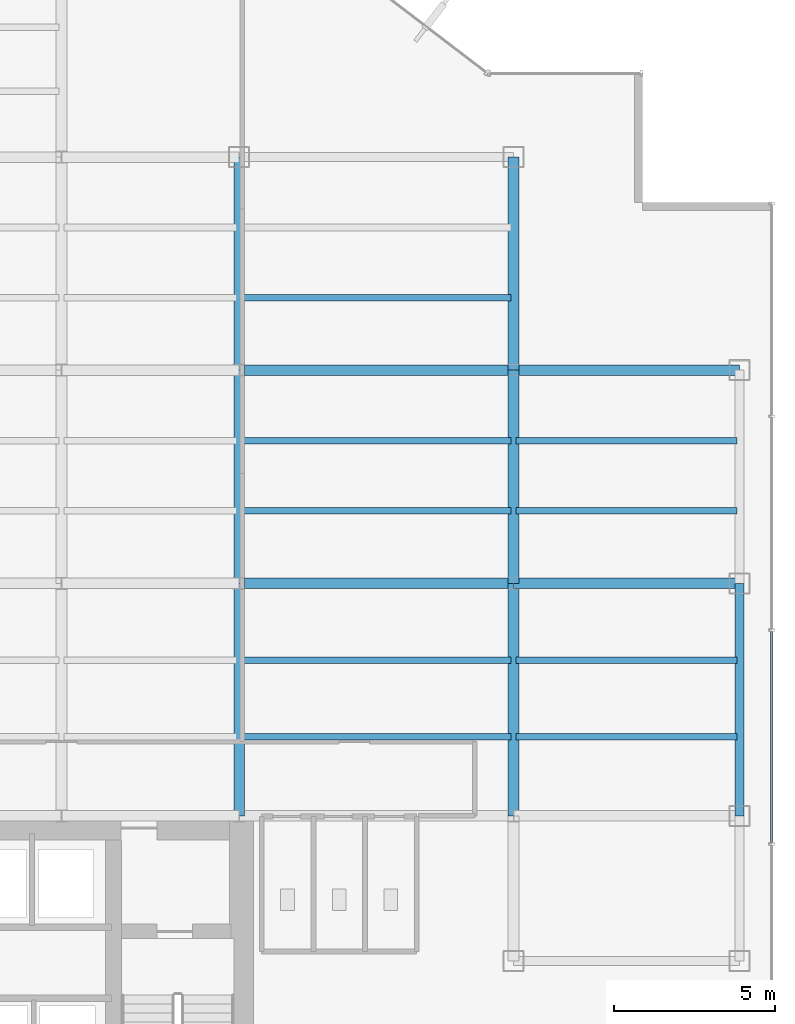
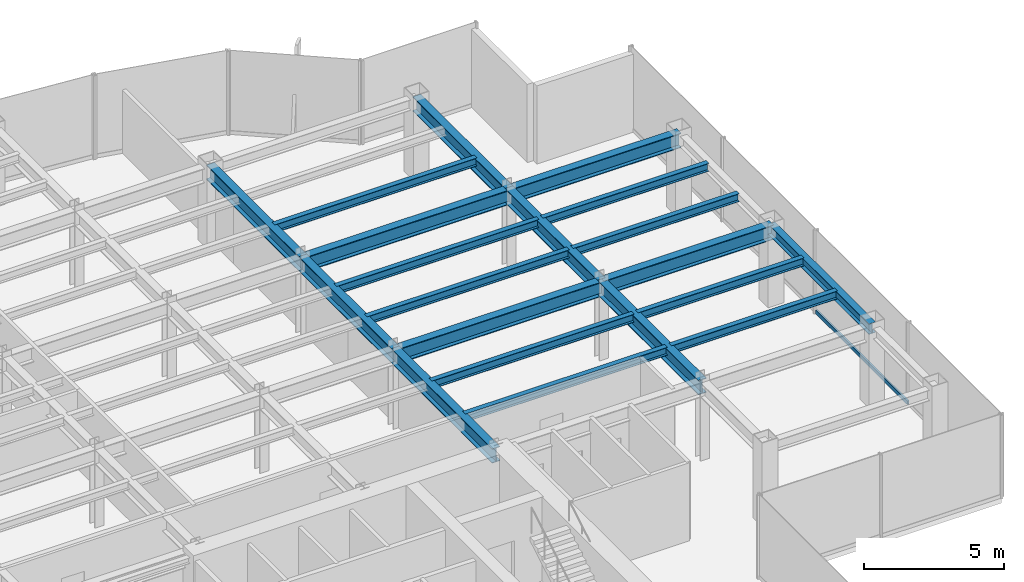
# One storey, part 12 of 25: 20 beams, 1 member, 1 element without a shape of its own.
"""IFC4 building model written with IfcOpenShell, lengths in metres."""

from ifc_helpers import new_model, si_unit, derived_unit, direction, frame, origin, origin_2d, place, context, subcontext, project, spatial, hollow_rectangle, i_section, extrude, source, transform, mapped, material, material_profile, profile_set, type_object, element, aggregate, save


model = new_model("IFC4")

# Units and contexts
model_context = context("Model", 3, precision=1e-05, world=origin(), true_north=direction((0.0, 1.0)))
body_context = subcontext(model_context, "Body", "Model", "MODEL_VIEW")
ifc_project = project(units=[si_unit("LENGTHUNIT", "METRE"), si_unit("AREAUNIT", "SQUARE_METRE"), si_unit("VOLUMEUNIT", "CUBIC_METRE"), si_unit("PLANEANGLEUNIT", "RADIAN"), si_unit("MASSUNIT", "GRAM", prefix="KILO"), derived_unit("THERMALTRANSMITTANCEUNIT", [(si_unit("POWERUNIT", "WATT"), 1), (si_unit("LENGTHUNIT", "METRE"), -2), (si_unit("THERMODYNAMICTEMPERATUREUNIT", "KELVIN"), -1)])], contexts=[model_context])

# Site, building, storey
site_placement = place(None, origin())
site = spatial("IfcSite", under=ifc_project, at=site_placement, CompositionType="ELEMENT")
building_placement = place(site_placement, origin())
building = spatial("IfcBuilding", under=site, at=building_placement, Name="Skarnbrae Concourse Arena and Tower", CompositionType="ELEMENT")
storey_placement = place(building_placement, frame((0.0, 0.0, 155.199951171875)))
storey = spatial("IfcBuildingStorey", under=building, at=storey_placement, Name="L39", CompositionType="ELEMENT", Elevation=155.199951171875)

# Beams
ifc_material_1 = material(Name="Steel CSA G40.21 350W", Category="steel")
ifc_material_profile_1 = material_profile(ifc_material_1, i_section(OverallWidth=0.3291015625, OverallDepth=0.635009765625, WebThickness=0.017822265625, FlangeThickness=0.031005859375, at=origin_2d()), Name="W610X241")
ifc_profile_set_1 = profile_set([ifc_material_profile_1], Name="Steel CSA G40.21 350W")
beam_type_1 = type_object("IfcBeamType", Name="BM-GIRD-W610X241", PredefinedType="BEAM", material=ifc_profile_set_1)
shared_shape_1 = source(origin(), body_context, "Body", "SweptSolid", [
    extrude(i_section(OverallWidth=0.3291015625, OverallDepth=0.635009765625, WebThickness=0.017822265625, FlangeThickness=0.031005859375, at=origin_2d()), origin(), (0.0, 0.0, 1.0), 6.60009765625),
])
for number, where, z_axis, x_axis, name in (
    (1, (33.5, 21.199951171875, 3.08251953125), (0.0, 1.0, 0.0), (-1.0, 0.0, 0.0), "L39 Primary N-S girder X33.5-2"),
    (2, (42.0, 21.199951171875, 3.08251953125), (0.0, 1.0, 0.0), (-1.0, 0.0, 0.0), "L39 Primary N-S girder X42.0-3"),
):
    element("IfcBeam", number, at=place(storey_placement, frame(where, z_axis=z_axis, x_axis=x_axis)), inside=storey, type_object=beam_type_1, Name=name, PredefinedType="BEAM", context=body_context, shape_type="MappedRepresentation", body=[
        mapped(shared_shape_1, transform((0.0, 0.0, 0.0))),
    ])
shared_shape_2 = source(origin(), body_context, "Body", "SweptSolid", [
    extrude(i_section(OverallWidth=0.3291015625, OverallDepth=0.635009765625, WebThickness=0.017822265625, FlangeThickness=0.031005859375, at=origin_2d()), origin(), (0.0, 0.0, 1.0), 8.5),
])
for number, where, z_axis, x_axis, name in (
    (3, (33.5, 21.199951171875, 3.08251953125), (1.0, 0.0, 0.0), (0.0, 1.0, 0.0), "L39 Primary E-W girder Y21.2-6"),
    (4, (33.5, 27.800048828125, 3.08251953125), (1.0, 0.0, 0.0), (0.0, 1.0, 0.0), "L39 Primary E-W girder Y27.8-6"),
):
    element("IfcBeam", number, at=place(storey_placement, frame(where, z_axis=z_axis, x_axis=x_axis)), inside=storey, type_object=beam_type_1, Name=name, PredefinedType="BEAM", context=body_context, shape_type="MappedRepresentation", body=[
        mapped(shared_shape_2, transform((0.0, 0.0, 0.0))),
    ])
shared_shape_3 = source(origin(), body_context, "Body", "SweptSolid", [
    extrude(i_section(OverallWidth=0.3291015625, OverallDepth=0.635009765625, WebThickness=0.017822265625, FlangeThickness=0.031005859375, at=origin_2d()), origin(), (0.0, 0.0, 1.0), 7.0),
])
for number, where, z_axis, x_axis, name in (
    (5, (42.0, 21.199951171875, 3.08251953125), (1.0, 0.0, 0.0), (0.0, 1.0, 0.0), "L39 Primary E-W girder Y21.2-7"),
    (6, (42.0, 27.800048828125, 3.08251953125), (1.0, 0.0, 0.0), (0.0, 1.0, 0.0), "L39 Primary E-W girder Y27.8-7"),
):
    element("IfcBeam", number, at=place(storey_placement, frame(where, z_axis=z_axis, x_axis=x_axis)), inside=storey, type_object=beam_type_1, Name=name, PredefinedType="BEAM", context=body_context, shape_type="MappedRepresentation", body=[
        mapped(shared_shape_3, transform((0.0, 0.0, 0.0))),
    ])
ifc_material_profile_2 = material_profile(ifc_material_1, i_section(OverallWidth=0.280029296875, OverallDepth=0.462890625, WebThickness=0.0107421875, FlangeThickness=0.017333984375, at=origin_2d()), Name="W460X113")
ifc_profile_set_2 = profile_set([ifc_material_profile_2], Name="Steel CSA G40.21 350W")
beam_type_2 = type_object("IfcBeamType", Name="BM-SPAN-W460X113", PredefinedType="SPANDREL", material=ifc_profile_set_2)
shared_shape_4 = source(origin(), body_context, "Body", "SweptSolid", [
    extrude(i_section(OverallWidth=0.280029296875, OverallDepth=0.462890625, WebThickness=0.0107421875, FlangeThickness=0.017333984375, at=origin_2d()), origin(), (0.0, 0.0, 1.0), 7.199951171875),
])
beam_placement = place(storey_placement, frame((49.0, 14.0, 3.16845703125), z_axis=(0.0, 1.0, 0.0), x_axis=(-1.0, 0.0, 0.0)))
element("IfcBeam", 7, at=beam_placement, inside=storey, type_object=beam_type_2, Name="L39 Perimeter spandrel X49.0-2", PredefinedType="SPANDREL", context=body_context, shape_type="MappedRepresentation", body=[
    mapped(shared_shape_4, transform((0.0, 0.0, 0.0))),
])
shared_shape_5 = source(origin(), body_context, "Body", "SweptSolid", [
    extrude(i_section(OverallWidth=0.3291015625, OverallDepth=0.635009765625, WebThickness=0.017822265625, FlangeThickness=0.031005859375, at=origin_2d()), origin(), (0.0, 0.0, 1.0), 7.199951171875),
])
for number, where, z_axis, x_axis, name in (
    (8, (33.5, 14.0, 3.08251953125), (0.0, 1.0, 0.0), (-1.0, 0.0, 0.0), "L39 Primary N-S girder X33.5-1"),
    (9, (42.0, 14.0, 3.08251953125), (0.0, 1.0, 0.0), (-1.0, 0.0, 0.0), "L39 Primary N-S girder X42.0-2"),
):
    element("IfcBeam", number, at=place(storey_placement, frame(where, z_axis=z_axis, x_axis=x_axis)), inside=storey, type_object=beam_type_1, Name=name, PredefinedType="BEAM", context=body_context, shape_type="MappedRepresentation", body=[
        mapped(shared_shape_5, transform((0.0, 0.0, 0.0))),
    ])
shared_shape_6 = source(origin(), body_context, "Body", "SweptSolid", [
    extrude(i_section(OverallWidth=0.3291015625, OverallDepth=0.635009765625, WebThickness=0.017822265625, FlangeThickness=0.031005859375, at=origin_2d()), origin(), (0.0, 0.0, 1.0), 6.599853515625),
])
for number, where, z_axis, x_axis, name in (
    (10, (33.5, 27.800048828125, 3.08251953125), (0.0, 1.0, 0.0), (-1.0, 0.0, 0.0), "L39 Primary N-S girder X33.5-3"),
    (11, (42.0, 27.800048828125, 3.08251953125), (0.0, 1.0, 0.0), (-1.0, 0.0, 0.0), "L39 Primary N-S girder X42.0-4"),
):
    element("IfcBeam", number, at=place(storey_placement, frame(where, z_axis=z_axis, x_axis=x_axis)), inside=storey, type_object=beam_type_1, Name=name, PredefinedType="BEAM", context=body_context, shape_type="MappedRepresentation", body=[
        mapped(shared_shape_6, transform((0.0, 0.0, 0.0))),
    ])
ifc_material_profile_3 = material_profile(ifc_material_1, i_section(OverallWidth=0.205078125, OverallDepth=0.35400390625, WebThickness=0.009521484375, FlangeThickness=0.016845703125, at=origin_2d()), Name="W360X79")
ifc_profile_set_3 = profile_set([ifc_material_profile_3], Name="Steel CSA G40.21 350W")
beam_type_3 = type_object("IfcBeamType", Name="BM-JOIST-W360X79", PredefinedType="JOIST", material=ifc_profile_set_3)
shared_shape_7 = source(origin(), body_context, "Body", "SweptSolid", [
    extrude(i_section(OverallWidth=0.205078125, OverallDepth=0.35400390625, WebThickness=0.009521484375, FlangeThickness=0.016845703125, at=origin_2d()), origin(), (0.0, 0.0, 1.0), 8.33984375),
])
for number, where, z_axis, x_axis, name in (
    (12, (33.580078125, 16.447998046875, 3.22314453125), (1.0, 0.0, 0.0), (0.0, 1.0, 0.0), "L39 Secondary floor joist 1.1.6"),
    (13, (33.580078125, 18.823974609375, 3.22314453125), (1.0, 0.0, 0.0), (0.0, 1.0, 0.0), "L39 Secondary floor joist 1.2.6"),
    (14, (33.580078125, 23.444091796875, 3.22314453125), (1.0, 0.0, 0.0), (0.0, 1.0, 0.0), "L39 Secondary floor joist 2.1.6"),
    (15, (33.580078125, 25.6220703125, 3.22314453125), (1.0, 0.0, 0.0), (0.0, 1.0, 0.0), "L39 Secondary floor joist 2.2.6"),
    (16, (33.580078125, 30.0439453125, 3.22314453125), (1.0, 0.0, 0.0), (0.0, 1.0, 0.0), "L39 Secondary floor joist 3.1.5"),
):
    element("IfcBeam", number, at=place(storey_placement, frame(where, z_axis=z_axis, x_axis=x_axis)), inside=storey, type_object=beam_type_3, Name=name, PredefinedType="JOIST", context=body_context, shape_type="MappedRepresentation", body=[
        mapped(shared_shape_7, transform((0.0, 0.0, 0.0))),
    ])
shared_shape_8 = source(origin(), body_context, "Body", "SweptSolid", [
    extrude(i_section(OverallWidth=0.205078125, OverallDepth=0.35400390625, WebThickness=0.009521484375, FlangeThickness=0.016845703125, at=origin_2d()), origin(), (0.0, 0.0, 1.0), 6.83984375),
])
for number, where, z_axis, x_axis, name in (
    (17, (42.080078125, 16.447998046875, 3.22314453125), (1.0, 0.0, 0.0), (0.0, 1.0, 0.0), "L39 Secondary floor joist 1.1.7"),
    (18, (42.080078125, 18.823974609375, 3.22314453125), (1.0, 0.0, 0.0), (0.0, 1.0, 0.0), "L39 Secondary floor joist 1.2.7"),
    (19, (42.080078125, 23.444091796875, 3.22314453125), (1.0, 0.0, 0.0), (0.0, 1.0, 0.0), "L39 Secondary floor joist 2.1.7"),
    (20, (42.080078125, 25.6220703125, 3.22314453125), (1.0, 0.0, 0.0), (0.0, 1.0, 0.0), "L39 Secondary floor joist 2.2.7"),
):
    element("IfcBeam", number, at=place(storey_placement, frame(where, z_axis=z_axis, x_axis=x_axis)), inside=storey, type_object=beam_type_3, Name=name, PredefinedType="JOIST", context=body_context, shape_type="MappedRepresentation", body=[
        mapped(shared_shape_8, transform((0.0, 0.0, 0.0))),
    ])

# Curtain wall, member
ifc_material_2 = material(Name="Bronze anodised aluminium 6063-T6", Category="aluminium")
curtain_wall_type = type_object("IfcCurtainWallType", Name="CW-SYS-04-MIDZONE", PredefinedType="USERDEFINED", material=ifc_material_2)
curtain_wall_placement = place(storey_placement, origin())
curtain_wall = element("IfcCurtainWall", 21, at=curtain_wall_placement, inside=storey, type_object=curtain_wall_type, Name="L39 Unitised curtain wall CW-L39-E04", ObjectType="UNITISED CURTAIN WALL", PredefinedType="USERDEFINED")
ifc_material_profile_4 = material_profile(ifc_material_2, hollow_rectangle(XDim=0.074951171875, YDim=0.159912109375, WallThickness=0.00439453125, at=origin_2d()), Name="ALU-TRAN-75X160")
ifc_profile_set_4 = profile_set([ifc_material_profile_4], Name="Bronze anodised aluminium 6063-T6")
member_type = type_object("IfcMemberType", Name="CWT-CW-04", PredefinedType="USERDEFINED", material=ifc_profile_set_4)
shared_shape_9 = source(origin(), body_context, "Body", "SweptSolid", [
    extrude(hollow_rectangle(XDim=0.074951171875, YDim=0.159912109375, WallThickness=0.00439453125, at=origin_2d()), origin(), (0.0, 0.0, 1.0), 6.5498046875),
])
member_placement = place(storey_placement, frame((50.0, 13.16259765625, 0.080078125), z_axis=(0.0, 1.0, 0.0), x_axis=(-1.0, 0.0, 0.0)))
member = element("IfcMember", 22, at=member_placement, type_object=member_type, Name="CW-L39-E04 Transom 2", ObjectType="TRANSOM", PredefinedType="USERDEFINED", context=body_context, shape_type="MappedRepresentation", body=[
    mapped(shared_shape_9, transform((0.0, 0.0, 0.0))),
])
aggregate(curtain_wall, [member])

save(model, "model.ifc")
